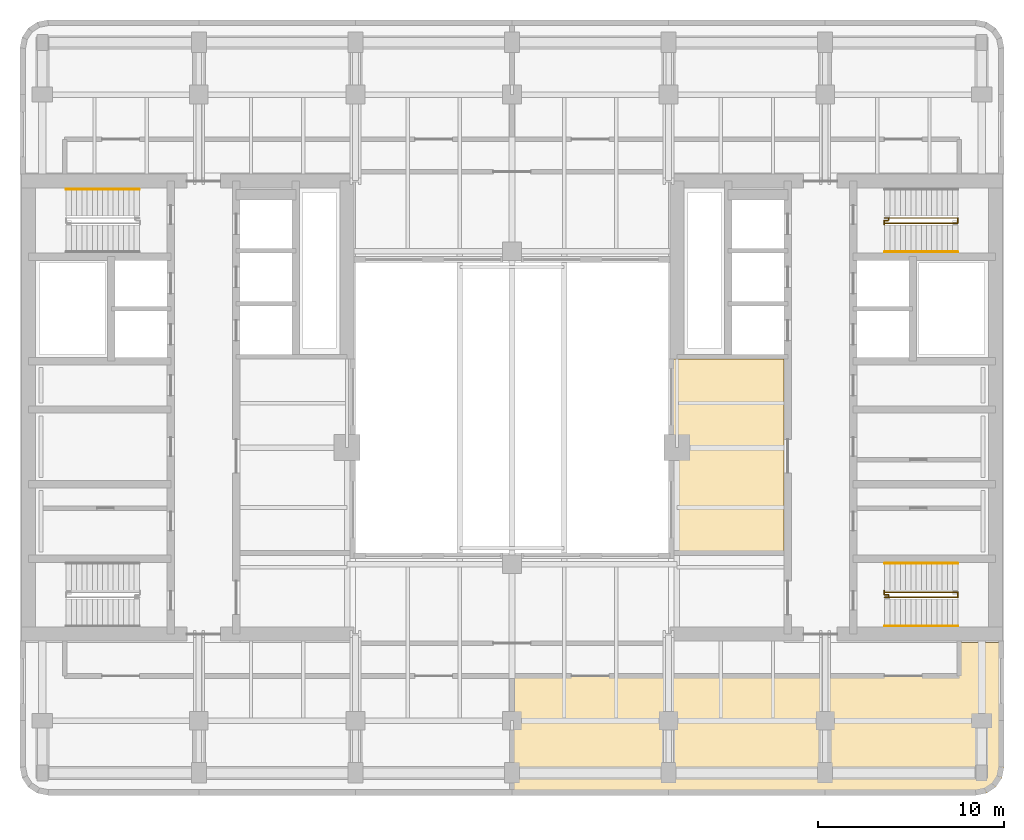
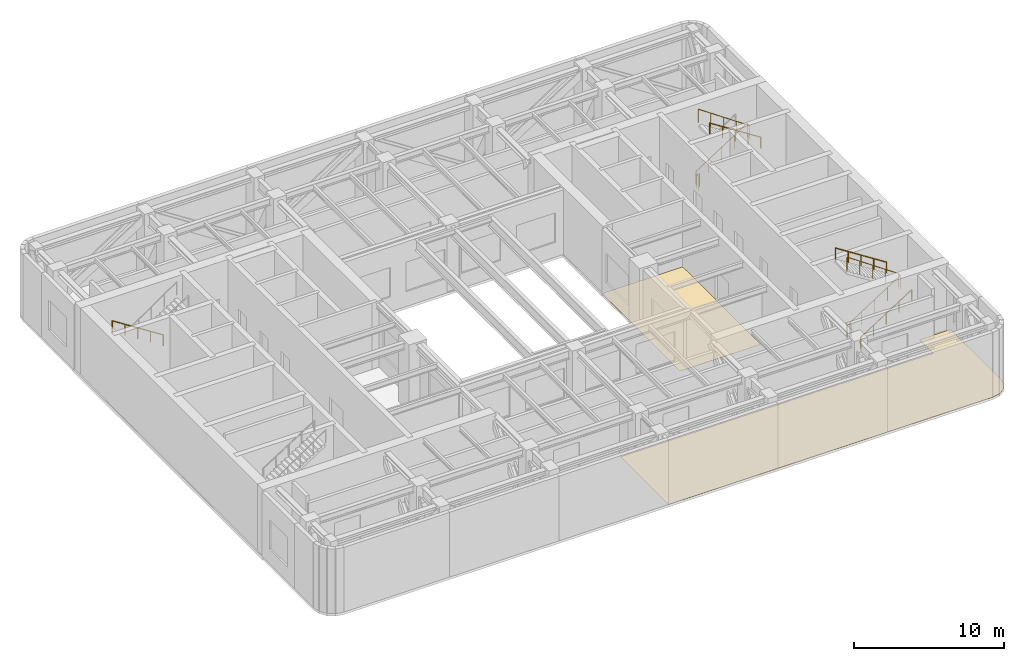
# One storey, part 9 of 10: 8 railings, 2 coverings.
"""IFC4 building model written with IfcOpenShell, lengths in metres."""

from ifc_helpers import new_model, si_unit, direction, frame, origin, origin_2d, place, context, subcontext, project, spatial, polyline, circle, outline, extrude, material, layer, layer_set, type_object, element, save


model = new_model("IFC4")

# Units and contexts
model_context = context("Model", 3, precision=1e-05, world=origin(), true_north=direction((0.0, 1.0)))
body_context = subcontext(model_context, "Body", "Model", "MODEL_VIEW")
ifc_project = project(units=[si_unit("LENGTHUNIT", "METRE"), si_unit("AREAUNIT", "SQUARE_METRE"), si_unit("VOLUMEUNIT", "CUBIC_METRE"), si_unit("PLANEANGLEUNIT", "RADIAN"), si_unit("MASSUNIT", "GRAM", prefix="KILO")], contexts=[model_context])

# Site, building, storey
site_placement = place(None, origin())
site = spatial("IfcSite", under=ifc_project, at=site_placement, CompositionType="ELEMENT")
building_placement = place(site_placement, origin())
building = spatial("IfcBuilding", under=site, at=building_placement, Name="Claustro Exchange Tower", CompositionType="ELEMENT")
storey_placement = place(building_placement, frame((0.0, 0.0, 244.800048828125)))
storey = spatial("IfcBuildingStorey", under=building, at=storey_placement, Name="L56", CompositionType="ELEMENT", Elevation=244.800048828125)

# Coverings
ifc_material_1 = material(Name="Epoxy resin floor finish", Category="resin")
ifc_layer = layer(ifc_material_1, 0.006103515625)
ifc_layer_set = layer_set([ifc_layer], Name="Epoxy resin floor finish")
covering_type = type_object("IfcCoveringType", Name="FL2 resin plant room floor", PredefinedType="FLOORING", material=ifc_layer_set)
covering_1_placement = place(storey_placement, origin())
element("IfcCovering", 1, at=covering_1_placement, inside=storey, type_object=covering_type, Name="Resin floor FL2 L56-02", PredefinedType="FLOORING", context=body_context, shape_type="SweptSolid", body=[
    extrude(outline(polyline([(51.60009765625, 12.60009765625), (49.199951171875, 12.60009765625), (49.199951171875, 10.800048828125), (25.199951171875, 10.800048828125), (25.199951171875, 4.39990234375), (50.10009765625, 4.39990234375), (50.674072265625, 4.51416015625), (51.16064453125, 4.83935546875), (51.48583984375, 5.325927734375), (51.60009765625, 5.89990234375), (51.60009765625, 12.60009765625)])), origin(), (0.0, 0.0, 1.0), 0.005859375),
])
covering_2_placement = place(storey_placement, origin())
element("IfcCovering", 2, at=covering_2_placement, inside=storey, type_object=covering_type, Name="Resin floor FL2 L56-07", PredefinedType="FLOORING", context=body_context, shape_type="SweptSolid", body=[
    extrude(outline(polyline([(39.800048828125, 17.39990234375), (39.800048828125, 27.800048828125), (33.60009765625, 27.800048828125), (33.60009765625, 17.39990234375), (39.800048828125, 17.39990234375)])), origin(), (0.0, 0.0, 1.0), 0.005859375),
])

# Railings
ifc_material_2 = material(Name="Steel balustrade, painted", Category="steel")
railing_type_1 = type_object("IfcRailingType", Name="GR2 1100 steel stair guard", PredefinedType="GUARDRAIL", material=ifc_material_2)
railing_1_placement = place(storey_placement, frame((45.199951171875, 15.02490234375, 0.179931640625)))
element("IfcRailing", 3, at=railing_1_placement, inside=storey, type_object=railing_type_1, Name="Stair well guard GR2 stair STEA L56", PredefinedType="GUARDRAIL", context=body_context, shape_type="SweptSolid", body=[
    extrude(circle(Radius=0.02392578125, at=origin_2d()), frame((0.0, 0.0, 1.076171875), z_axis=(0.841186985886, 0.0, 0.540744352514), x_axis=(0.0, 1.0, 0.0)), (0.0, 0.0, 1.0), 4.660400390625),
    extrude(circle(Radius=0.02392578125, at=origin_2d()), frame((3.920166015625, 0.0, 3.59619140625), z_axis=(0.0, 1.0, 0.0), x_axis=(-1.0, 0.0, 0.0)), (0.0, 0.0, 1.0), 0.275146484375),
    extrude(circle(Radius=0.02392578125, at=origin_2d()), frame((3.920166015625, 0.275146484375, 3.59619140625), z_axis=(-0.823567234665, 0.0, 0.567218661528), x_axis=(0.0, -1.0, 0.0)), (0.0, 0.0, 1.0), 4.760009765625),
    extrude(circle(Radius=0.02099609375, at=origin_2d()), origin(), (0.0, 0.0, 1.0), 1.052001953125),
    extrude(circle(Radius=0.02099609375, at=origin_2d()), frame((0.97998046875, 0.0, 0.6298828125)), (0.0, 0.0, 1.0), 1.052001953125),
    extrude(circle(Radius=0.02099609375, at=origin_2d()), frame((1.9599609375, 0.0, 1.260009765625)), (0.0, 0.0, 1.0), 1.052001953125),
    extrude(circle(Radius=0.02099609375, at=origin_2d()), frame((2.940185546875, 0.0, 1.89013671875)), (0.0, 0.0, 1.0), 1.052001953125),
    extrude(circle(Radius=0.02099609375, at=origin_2d()), frame((3.920166015625, 0.0, 2.52001953125)), (0.0, 0.0, 1.0), 1.052001953125),
    extrude(circle(Radius=0.02099609375, at=origin_2d()), frame((3.920166015625, 0.275146484375, 2.52001953125)), (0.0, 0.0, 1.0), 1.052001953125),
    extrude(circle(Radius=0.02099609375, at=origin_2d()), frame((2.940185546875, 0.275146484375, 3.195068359375)), (0.0, 0.0, 1.0), 1.052001953125),
    extrude(circle(Radius=0.02099609375, at=origin_2d()), frame((1.9599609375, 0.275146484375, 3.8701171875)), (0.0, 0.0, 1.0), 1.052001953125),
    extrude(circle(Radius=0.02099609375, at=origin_2d()), frame((0.97998046875, 0.275146484375, 4.544921875)), (0.0, 0.0, 1.0), 1.052001953125),
    extrude(circle(Radius=0.02099609375, at=origin_2d()), frame((0.0, 0.275146484375, 5.219970703125)), (0.0, 0.0, 1.0), 1.052001953125),
])
railing_2_placement = place(storey_placement, frame((45.39990234375, 15.094970703125, 0.0)))
element("IfcRailing", 4, at=railing_2_placement, inside=storey, type_object=railing_type_1, Name="Stair guard GR2 STEA L56", PredefinedType="GUARDRAIL", context=body_context, shape_type="SweptSolid", body=[
    extrude(circle(Radius=0.02392578125, at=origin_2d()), frame((0.0, 0.0, 1.076171875), z_axis=(0.0, 1.0, 0.0), x_axis=(-1.0, 0.0, 0.0)), (0.0, 0.0, 1.0), 0.067626953125),
    extrude(circle(Radius=0.02392578125, at=origin_2d()), frame((0.0, 0.067626953125, 1.076171875), z_axis=(-1.0, 0.0, 0.0), x_axis=(0.0, -1.0, 0.0)), (0.0, 0.0, 1.0), 0.224853515625),
    extrude(circle(Radius=0.02392578125, at=origin_2d()), frame((-0.224853515625, 0.067626953125, 1.076171875), z_axis=(0.0, 1.0, 0.0), x_axis=(-1.0, 0.0, 0.0)), (0.0, 0.0, 1.0), 0.21728515625),
    extrude(circle(Radius=0.02099609375, at=origin_2d()), origin(), (0.0, 0.0, 1.0), 1.052001953125),
    extrude(circle(Radius=0.02099609375, at=origin_2d()), frame((0.0, 0.067626953125, 0.0)), (0.0, 0.0, 1.0), 1.052001953125),
    extrude(circle(Radius=0.02099609375, at=origin_2d()), frame((-0.224853515625, 0.067626953125, 0.0)), (0.0, 0.0, 1.0), 1.052001953125),
    extrude(circle(Radius=0.02099609375, at=origin_2d()), frame((-0.224853515625, 0.284912109375, 0.0)), (0.0, 0.0, 1.0), 1.052001953125),
])
railing_3_placement = place(storey_placement, frame((45.199951171875, 35.375, 0.179931640625)))
element("IfcRailing", 5, at=railing_3_placement, inside=storey, type_object=railing_type_1, Name="Stair well guard GR2 stair STEB L56", PredefinedType="GUARDRAIL", context=body_context, shape_type="SweptSolid", body=[
    extrude(circle(Radius=0.02392578125, at=origin_2d()), frame((0.0, 0.0, 1.076171875), z_axis=(0.841186985886, 0.0, 0.540744352514), x_axis=(0.0, 1.0, 0.0)), (0.0, 0.0, 1.0), 4.660400390625),
    extrude(circle(Radius=0.02392578125, at=origin_2d()), frame((3.920166015625, 0.0, 3.59619140625), z_axis=(0.0, -1.0, 0.0), x_axis=(1.0, 0.0, 0.0)), (0.0, 0.0, 1.0), 0.27490234375),
    extrude(circle(Radius=0.02392578125, at=origin_2d()), frame((3.920166015625, -0.27490234375, 3.59619140625), z_axis=(-0.823567234665, 0.0, 0.567218661528), x_axis=(0.0, -1.0, 0.0)), (0.0, 0.0, 1.0), 4.760009765625),
    extrude(circle(Radius=0.02099609375, at=origin_2d()), origin(), (0.0, 0.0, 1.0), 1.052001953125),
    extrude(circle(Radius=0.02099609375, at=origin_2d()), frame((0.97998046875, 0.0, 0.6298828125)), (0.0, 0.0, 1.0), 1.052001953125),
    extrude(circle(Radius=0.02099609375, at=origin_2d()), frame((1.9599609375, 0.0, 1.260009765625)), (0.0, 0.0, 1.0), 1.052001953125),
    extrude(circle(Radius=0.02099609375, at=origin_2d()), frame((2.940185546875, 0.0, 1.89013671875)), (0.0, 0.0, 1.0), 1.052001953125),
    extrude(circle(Radius=0.02099609375, at=origin_2d()), frame((3.920166015625, 0.0, 2.52001953125)), (0.0, 0.0, 1.0), 1.052001953125),
    extrude(circle(Radius=0.02099609375, at=origin_2d()), frame((3.920166015625, -0.27490234375, 2.52001953125)), (0.0, 0.0, 1.0), 1.052001953125),
    extrude(circle(Radius=0.02099609375, at=origin_2d()), frame((2.940185546875, -0.27490234375, 3.195068359375)), (0.0, 0.0, 1.0), 1.052001953125),
    extrude(circle(Radius=0.02099609375, at=origin_2d()), frame((1.9599609375, -0.27490234375, 3.8701171875)), (0.0, 0.0, 1.0), 1.052001953125),
    extrude(circle(Radius=0.02099609375, at=origin_2d()), frame((0.97998046875, -0.27490234375, 4.544921875)), (0.0, 0.0, 1.0), 1.052001953125),
    extrude(circle(Radius=0.02099609375, at=origin_2d()), frame((0.0, -0.27490234375, 5.219970703125)), (0.0, 0.0, 1.0), 1.052001953125),
])
railing_4_placement = place(storey_placement, frame((45.39990234375, 35.304931640625, 0.0)))
element("IfcRailing", 6, at=railing_4_placement, inside=storey, type_object=railing_type_1, Name="Stair guard GR2 STEB L56", PredefinedType="GUARDRAIL", context=body_context, shape_type="SweptSolid", body=[
    extrude(circle(Radius=0.02392578125, at=origin_2d()), frame((0.0, 0.0, 1.076171875), z_axis=(0.0, -1.0, 0.0), x_axis=(1.0, 0.0, 0.0)), (0.0, 0.0, 1.0), 0.0673828125),
    extrude(circle(Radius=0.02392578125, at=origin_2d()), frame((0.0, -0.0673828125, 1.076171875), z_axis=(-1.0, 0.0, 0.0), x_axis=(0.0, -1.0, 0.0)), (0.0, 0.0, 1.0), 0.224853515625),
    extrude(circle(Radius=0.02392578125, at=origin_2d()), frame((-0.224853515625, -0.0673828125, 1.076171875), z_axis=(0.0, -1.0, 0.0), x_axis=(1.0, 0.0, 0.0)), (0.0, 0.0, 1.0), 0.217529296875),
    extrude(circle(Radius=0.02099609375, at=origin_2d()), origin(), (0.0, 0.0, 1.0), 1.052001953125),
    extrude(circle(Radius=0.02099609375, at=origin_2d()), frame((0.0, -0.0673828125, 0.0)), (0.0, 0.0, 1.0), 1.052001953125),
    extrude(circle(Radius=0.02099609375, at=origin_2d()), frame((-0.224853515625, -0.0673828125, 0.0)), (0.0, 0.0, 1.0), 1.052001953125),
    extrude(circle(Radius=0.02099609375, at=origin_2d()), frame((-0.224853515625, -0.284912109375, 0.0)), (0.0, 0.0, 1.0), 1.052001953125),
])
ifc_material_3 = material(Name="Stainless steel tube", Category="steel")
railing_type_2 = type_object("IfcRailingType", Name="HR1 900 stair handrail", PredefinedType="HANDRAIL", material=ifc_material_3)
railing_5_placement = place(storey_placement, frame((5.199951171875, 36.9150390625, 0.179931640625)))
element("IfcRailing", 7, at=railing_5_placement, inside=storey, type_object=railing_type_2, Name="Handrail HR1 stair STWB L56", PredefinedType="HANDRAIL", context=body_context, shape_type="SweptSolid", body=[
    extrude(circle(Radius=0.02392578125, at=origin_2d()), frame((0.0, 0.0, 0.8759765625), z_axis=(-0.841171666519, 0.0, 0.540768182723), x_axis=(0.0, -1.0, 0.0)), (0.0, 0.0, 1.0), 4.66015625),
    extrude(circle(Radius=0.02099609375, at=origin_2d()), origin(), (0.0, 0.0, 1.0), 0.851806640625),
    extrude(circle(Radius=0.02099609375, at=origin_2d()), frame((-0.97998046875, 0.0, 0.6298828125)), (0.0, 0.0, 1.0), 0.851806640625),
    extrude(circle(Radius=0.02099609375, at=origin_2d()), frame((-1.9599609375, 0.0, 1.260009765625)), (0.0, 0.0, 1.0), 0.851806640625),
    extrude(circle(Radius=0.02099609375, at=origin_2d()), frame((-2.93994140625, 0.0, 1.89013671875)), (0.0, 0.0, 1.0), 0.851806640625),
    extrude(circle(Radius=0.02099609375, at=origin_2d()), frame((-3.919921875, 0.0, 2.52001953125)), (0.0, 0.0, 1.0), 0.851806640625),
])
railing_6_placement = place(storey_placement, frame((45.199951171875, 13.485107421875, 0.179931640625)))
element("IfcRailing", 8, at=railing_6_placement, inside=storey, type_object=railing_type_2, Name="Handrail HR1 stair STEA L56", PredefinedType="HANDRAIL", context=body_context, shape_type="SweptSolid", body=[
    extrude(circle(Radius=0.02392578125, at=origin_2d()), frame((0.0, 0.0, 0.8759765625), z_axis=(0.841186985886, 0.0, 0.540744352514), x_axis=(0.0, 1.0, 0.0)), (0.0, 0.0, 1.0), 4.660400390625),
    extrude(circle(Radius=0.02099609375, at=origin_2d()), origin(), (0.0, 0.0, 1.0), 0.851806640625),
    extrude(circle(Radius=0.02099609375, at=origin_2d()), frame((0.97998046875, 0.0, 0.6298828125)), (0.0, 0.0, 1.0), 0.851806640625),
    extrude(circle(Radius=0.02099609375, at=origin_2d()), frame((1.9599609375, 0.0, 1.260009765625)), (0.0, 0.0, 1.0), 0.851806640625),
    extrude(circle(Radius=0.02099609375, at=origin_2d()), frame((2.940185546875, 0.0, 1.89013671875)), (0.0, 0.0, 1.0), 0.851806640625),
    extrude(circle(Radius=0.02099609375, at=origin_2d()), frame((3.920166015625, 0.0, 2.52001953125)), (0.0, 0.0, 1.0), 0.851806640625),
])
for number, where, name in (
    (9, (49.1201171875, 16.840087890625, 2.8798828125), "Handrail HR1 stair STEA L56"),
    (10, (49.1201171875, 33.56005859375, 2.8798828125), "Handrail HR1 stair STEB L56"),
):
    element("IfcRailing", number, at=place(storey_placement, frame(where)), inside=storey, type_object=railing_type_2, Name=name, PredefinedType="HANDRAIL", context=body_context, shape_type="SweptSolid", body=[
        extrude(circle(Radius=0.02392578125, at=origin_2d()), frame((0.0, 0.0, 0.8759765625), z_axis=(-0.841186985886, 0.0, 0.540744352514), x_axis=(0.0, -1.0, 0.0)), (0.0, 0.0, 1.0), 4.660400390625),
        extrude(circle(Radius=0.02099609375, at=origin_2d()), origin(), (0.0, 0.0, 1.0), 0.851806640625),
        extrude(circle(Radius=0.02099609375, at=origin_2d()), frame((-0.97998046875, 0.0, 0.6298828125)), (0.0, 0.0, 1.0), 0.851806640625),
        extrude(circle(Radius=0.02099609375, at=origin_2d()), frame((-1.9599609375, 0.0, 1.260009765625)), (0.0, 0.0, 1.0), 0.851806640625),
        extrude(circle(Radius=0.02099609375, at=origin_2d()), frame((-2.940185546875, 0.0, 1.89013671875)), (0.0, 0.0, 1.0), 0.851806640625),
        extrude(circle(Radius=0.02099609375, at=origin_2d()), frame((-3.920166015625, 0.0, 2.52001953125)), (0.0, 0.0, 1.0), 0.851806640625),
    ])

save(model, "model.ifc")
